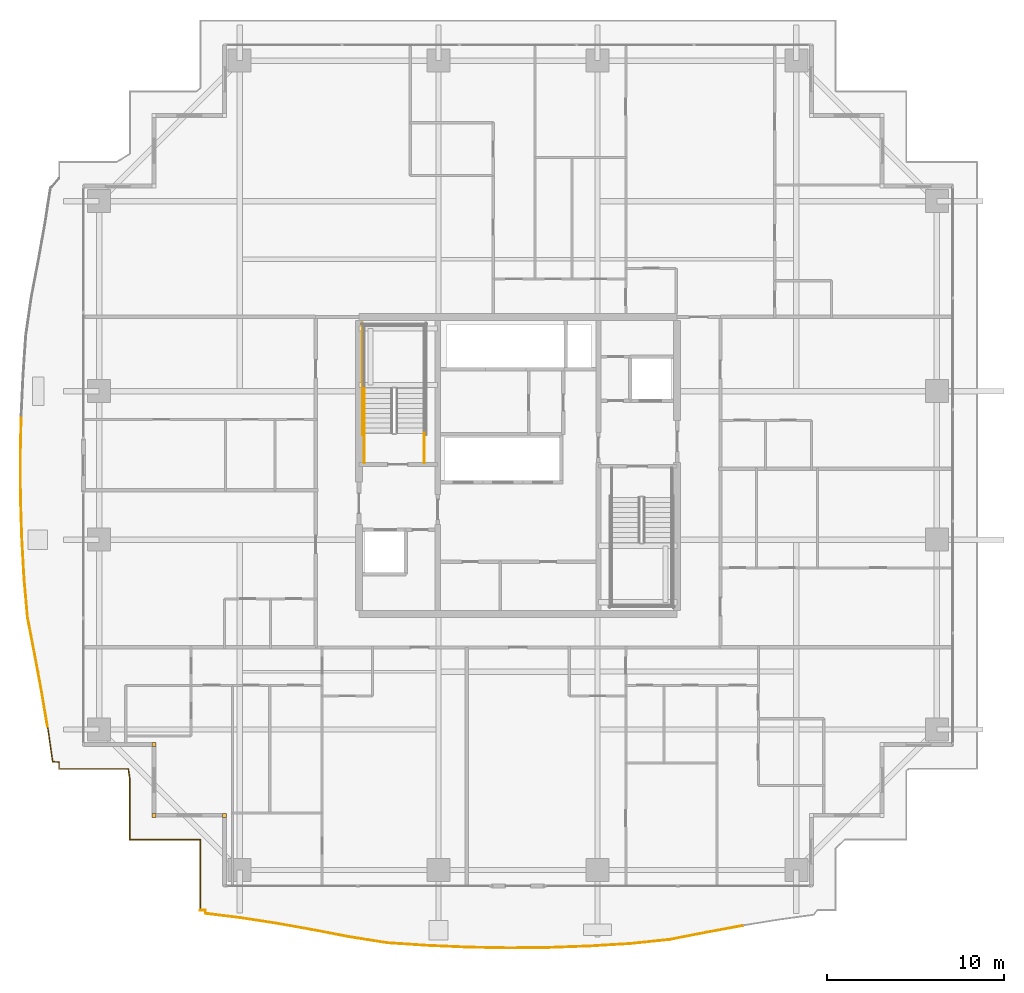
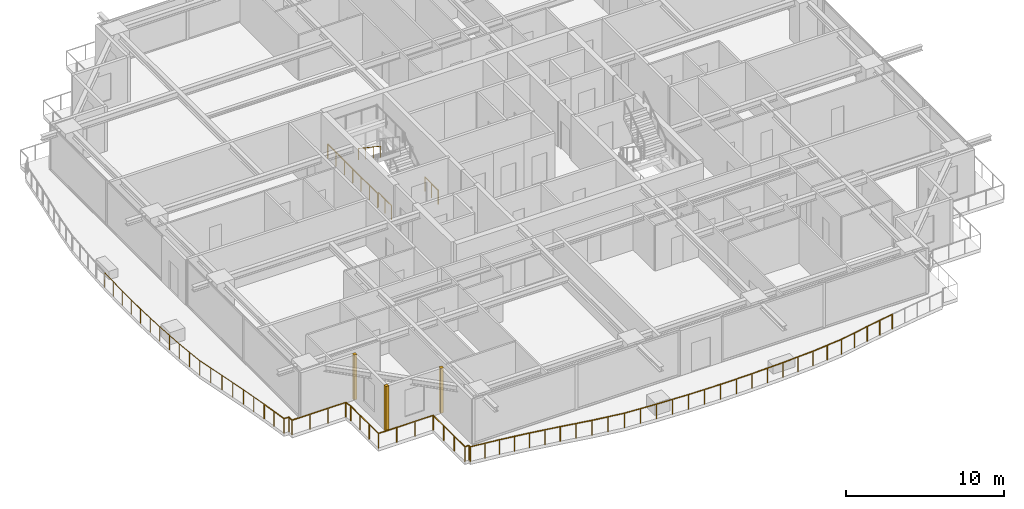
# One storey, part 30 of 34: 8 railings, 3 coverings.
"""IFC4 building model written with IfcOpenShell, lengths in metres."""

import ifcopenshell
import ifcopenshell.guid

model = None  # the IFC model being written
_history = None  # IfcOwnerHistory: only IFC2X3 demands one
_inside = {}  # id of a spatial element -> (the spatial element, [elements in it])
_under = {}  # id of a project, library or spatial element -> (it, [spatial elements below it])
_declared = {}  # id of a project -> (the project, [libraries it declares])
_typed = {}  # id of a type object -> (the type object, [elements of that type])
_made_of = {}  # id of a material, layer set ... -> (it, [elements and type objects made of it])


def new_model(schema):
    """Start an empty IFC model of exactly this schema.

    Asked for "IFC4X3", IfcOpenShell would pick the latest addendum, in which some entities
    have other attributes; the version numbers below select the first issue.
    IFC2X3 requires an IfcOwnerHistory on every rooted entity: one is made here for all.
    """
    global model, _history
    if schema == "IFC4X3":
        model = ifcopenshell.file(schema_version=(4, 3, 0, 0))
    else:
        model = ifcopenshell.file(schema=schema)
    _inside.clear()
    _under.clear()
    _declared.clear()
    _typed.clear()
    _made_of.clear()
    _history = None
    if model.schema == "IFC2X3":
        org = make("IfcOrganization", Name="unknown")
        user = make(
            "IfcPersonAndOrganization",
            ThePerson=make("IfcPerson", FamilyName="unknown"),
            TheOrganization=org,
        )
        app = make(
            "IfcApplication",
            ApplicationDeveloper=org,
            Version="unknown",
            ApplicationFullName="unknown",
            ApplicationIdentifier="unknown",
        )
        _history = make(
            "IfcOwnerHistory",
            OwningUser=user,
            OwningApplication=app,
            ChangeAction="ADDED",
            CreationDate=0,
        )
    return model


def make(cls, **values):
    """One entity of the class cls with the attributes given. An attribute that is None is left unset."""
    return model.create_entity(
        cls, **{name: value for name, value in values.items() if value is not None}
    )


def rooted(cls, **values):
    """An entity with a GlobalId (a new one), such as an element, a storey or a relation."""
    return make(cls, GlobalId=ifcopenshell.guid.new(), OwnerHistory=_history, **values)


def si_unit(unit_type, name, prefix=None):
    """IfcSIUnit, for example si_unit("LENGTHUNIT", "METRE", prefix="MILLI")."""
    return make("IfcSIUnit", UnitType=unit_type, Prefix=prefix, Name=name)


def assignment(units):
    """IfcUnitAssignment: the units of a project."""
    return None if units is None else make("IfcUnitAssignment", Units=units)


def point(xyz):
    """IfcCartesianPoint."""
    return None if xyz is None else make("IfcCartesianPoint", Coordinates=xyz)


def direction(xyz):
    """IfcDirection."""
    return None if xyz is None else make("IfcDirection", DirectionRatios=xyz)


def frame(location, z_axis=None, x_axis=None):
    """IfcAxis2Placement3D, a coordinate frame: its origin and axes. An axis left out is left unset."""
    return make(
        "IfcAxis2Placement3D",
        Location=point(location),
        Axis=direction(z_axis),
        RefDirection=direction(x_axis),
    )


def frame_2d(location, x_axis=None):
    """IfcAxis2Placement2D, a coordinate frame in the plane: its origin and x axis."""
    return make(
        "IfcAxis2Placement2D", Location=point(location), RefDirection=direction(x_axis)
    )


def origin():
    """The frame at (0, 0, 0) with its axes left unset."""
    return frame((0.0, 0.0, 0.0))


def origin_2d():
    """The frame at (0, 0) in the plane with its x axis left unset."""
    return frame_2d((0.0, 0.0))


def place(relative_to, where):
    """IfcLocalPlacement: puts the frame where relative to a parent placement (None: the world)."""
    return make(
        "IfcLocalPlacement", PlacementRelTo=relative_to, RelativePlacement=where
    )


def context(
    kind, dimensions, precision=None, world=None, true_north=None, identifier=None
):
    """IfcGeometricRepresentationContext, for example the 3D "Model" context."""
    return make(
        "IfcGeometricRepresentationContext",
        ContextIdentifier=identifier,
        ContextType=kind,
        CoordinateSpaceDimension=dimensions,
        Precision=precision,
        WorldCoordinateSystem=world,
        TrueNorth=true_north,
    )


def subcontext(parent, identifier, kind, view, scale=None):
    """IfcGeometricRepresentationSubContext, for example "Body" below "Model"."""
    return make(
        "IfcGeometricRepresentationSubContext",
        ContextIdentifier=identifier,
        ContextType=kind,
        ParentContext=parent,
        TargetScale=scale,
        TargetView=view,
    )


def project(units=None, contexts=None):
    """IfcProject with its units and contexts."""
    return rooted(
        "IfcProject",
        Name="project",
        RepresentationContexts=contexts,
        UnitsInContext=assignment(units),
    )


def spatial(cls, under=None, at=None, **own):
    """A site, building, storey or space (cls), placed at a placement, below another one or the project."""
    s = rooted(cls, ObjectPlacement=at, **own)
    if under is not None:
        _under.setdefault(under.id(), (under, []))[1].append(s)
    return s


def profile(cls, at=None, kind="AREA", **sizes):
    """A parametric profile (cls). Its sizes go by their IFC names, for example OverallWidth=200.0."""
    return make(cls, ProfileType=kind, Position=at, **sizes)


def rectangle(**sizes):
    """IfcRectangleProfileDef."""
    return profile("IfcRectangleProfileDef", **sizes)


def circle(**sizes):
    """IfcCircleProfileDef."""
    return profile("IfcCircleProfileDef", **sizes)


def extrude(swept, where, along, depth):
    """IfcExtrudedAreaSolid: the profile swept, set in the frame where, extruded along a direction by depth."""
    return make(
        "IfcExtrudedAreaSolid",
        SweptArea=swept,
        Position=where,
        ExtrudedDirection=direction(along),
        Depth=depth,
    )


def shape(context_of_items, identifier, shape_type, items):
    """IfcShapeRepresentation: the items that make up one representation, for example the "Body"."""
    return make(
        "IfcShapeRepresentation",
        ContextOfItems=context_of_items,
        RepresentationIdentifier=identifier,
        RepresentationType=shape_type,
        Items=items,
    )


def source(mapping_origin, context_of_items, identifier, shape_type, items):
    """IfcRepresentationMap: a shape defined once, which mapped items show again and again."""
    return make(
        "IfcRepresentationMap",
        MappingOrigin=mapping_origin,
        MappedRepresentation=shape(context_of_items, identifier, shape_type, items),
    )


def transform(
    local_origin,
    x_axis=None,
    y_axis=None,
    z_axis=None,
    scale=None,
    scale2=None,
    scale3=None,
    uniform=True,
):
    """IfcCartesianTransformationOperator3D, or its non-uniform kind. x_axis, y_axis, z_axis: its Axis1, 2, 3."""
    if uniform:
        return make(
            "IfcCartesianTransformationOperator3D",
            Axis1=direction(x_axis),
            Axis2=direction(y_axis),
            LocalOrigin=point(local_origin),
            Scale=scale,
            Axis3=direction(z_axis),
        )
    return make(
        "IfcCartesianTransformationOperator3DnonUniform",
        Axis1=direction(x_axis),
        Axis2=direction(y_axis),
        LocalOrigin=point(local_origin),
        Scale=scale,
        Axis3=direction(z_axis),
        Scale2=scale2,
        Scale3=scale3,
    )


def mapped(mapping_source, mapping_target):
    """IfcMappedItem: shows the shape of a source again, moved by a transform."""
    return make(
        "IfcMappedItem", MappingSource=mapping_source, MappingTarget=mapping_target
    )


def material(Name=None, Category=None):
    """IfcMaterial."""
    return make("IfcMaterial", Name=Name, Category=Category)


def layer(
    of_material, thickness, ventilated=None, Name=None, Category=None, Priority=None
):
    """IfcMaterialLayer: one layer of a wall or slab, of a material (None: an air gap)."""
    return make(
        "IfcMaterialLayer",
        Material=of_material,
        LayerThickness=thickness,
        IsVentilated=ventilated,
        Name=Name,
        Category=Category,
        Priority=Priority,
    )


def layer_set(layers, Name=None):
    """IfcMaterialLayerSet."""
    return make("IfcMaterialLayerSet", MaterialLayers=layers, LayerSetName=Name)


def made_of(thing, what):
    """Note that an element or type object is made of a material, layer set ...; save() writes the relation."""
    if what is not None:
        _made_of.setdefault(what.id(), (what, []))[1].append(thing)
    return thing


def type_object(cls, material=None, **own):
    """A type object (cls), such as IfcWallType, which elements share."""
    return made_of(rooted(cls, **own), material)


def element(
    cls,
    number,
    at=None,
    inside=None,
    cuts=None,
    type_object=None,
    material=None,
    context=None,
    identifier="Body",
    shape_type=None,
    held_by="IfcProductDefinitionShape",
    body=None,
    shapes=None,
    **own,
):
    """One element of the class cls, such as IfcWall. Its Tag is "e" and its number.

    at: its placement. inside: the storey or other place that contains it. cuts: it is an
    opening in that element (IfcRelVoidsElement). A single representation is given by context,
    identifier, shape_type and body (its items); several are given by shapes. held_by: the class
    of the entity that holds the representations. save() writes the other relations.
    """
    e = rooted(cls, Tag="e%d" % number, ObjectPlacement=at, **own)
    if body is not None:
        shapes = [shape(context, identifier, shape_type, body)]
    if shapes is not None:
        e.Representation = make(held_by, Representations=shapes)
    if inside is not None:
        _inside.setdefault(inside.id(), (inside, []))[1].append(e)
    if cuts is not None:
        rooted(
            "IfcRelVoidsElement", RelatingBuildingElement=cuts, RelatedOpeningElement=e
        )
    if type_object is not None:
        _typed.setdefault(type_object.id(), (type_object, []))[1].append(e)
    return made_of(e, material)


def aggregate(whole, parts):
    """IfcRelAggregates: a whole, such as a stair, and the parts it consists of."""
    return rooted("IfcRelAggregates", RelatingObject=whole, RelatedObjects=parts)


def save(model, path):
    """Write the relations noted so far, then the file.

    IfcRelAggregates (storeys below a building ...), IfcRelContainedInSpatialStructure (elements
    in a storey), IfcRelDefinesByType, IfcRelAssociatesMaterial and IfcRelDeclares: one each for
    every whole, place, type object, material and project.
    """
    for whole, parts in _under.values():
        aggregate(whole, parts)
    for where, things in _inside.values():
        rooted(
            "IfcRelContainedInSpatialStructure",
            RelatedElements=things,
            RelatingStructure=where,
        )
    for kind, things in _typed.values():
        rooted("IfcRelDefinesByType", RelatedObjects=things, RelatingType=kind)
    for what, things in _made_of.values():
        rooted("IfcRelAssociatesMaterial", RelatedObjects=things, RelatingMaterial=what)
    for by, libraries in _declared.values():
        rooted("IfcRelDeclares", RelatingContext=by, RelatedDefinitions=libraries)
    model.write(path)


model = new_model("IFC4")

# Units and contexts
model_context = context("Model", 3, precision=1e-05, world=origin(), true_north=direction((0.0, 1.0)))
body_context = subcontext(model_context, "Body", "Model", "MODEL_VIEW")
ifc_project = project(units=[si_unit("LENGTHUNIT", "METRE"), si_unit("AREAUNIT", "SQUARE_METRE"), si_unit("VOLUMEUNIT", "CUBIC_METRE"), si_unit("PLANEANGLEUNIT", "RADIAN"), si_unit("MASSUNIT", "GRAM", prefix="KILO")], contexts=[model_context])

# Site, building, storey
site_placement = place(None, origin())
site = spatial("IfcSite", under=ifc_project, at=site_placement, CompositionType="ELEMENT")
building_placement = place(site_placement, origin())
building = spatial("IfcBuilding", under=site, at=building_placement, Name="Serunith Strait Residences", CompositionType="ELEMENT")
storey_placement = place(building_placement, frame((0.0, 0.0, 142.64990234375)))
storey = spatial("IfcBuildingStorey", under=building, at=storey_placement, Name="L35", CompositionType="ELEMENT", Elevation=142.64990234375)

# Railings
ifc_material_1 = material(Name="Stainless Steel & Laminated Glass Balustrade", Category="steel")
railing_type_1 = type_object("IfcRailingType", Name="RLG-BALC-1150", PredefinedType="BALUSTRADE", material=ifc_material_1)
railing_1_placement = place(storey_placement, frame((14.419921875, 0.02001953125, -0.0498046875)))
element("IfcRailing", 1, at=railing_1_placement, inside=storey, type_object=railing_type_1, Name="L35 Swirling Balcony Perimeter Balustrade 1", PredefinedType="BALUSTRADE", context=body_context, shape_type="SweptSolid", body=[
    extrude(circle(Radius=0.02392578125, at=origin_2d()), frame((0.0, 0.001953125, 1.1259765625), z_axis=(0.0, 1.0, 0.0), x_axis=(-1.0, 0.0, 0.0)), (0.0, 0.0, 1.0), 3.99609375),
    extrude(circle(Radius=0.02392578125, at=origin_2d()), frame((-0.001953125, 4.0, 1.1259765625), z_axis=(-1.0, 0.0, 0.0), x_axis=(0.0, -1.0, 0.0)), (0.0, 0.0, 1.0), 3.99609375),
    extrude(circle(Radius=0.02392578125, at=origin_2d()), frame((-4.0, 4.001953125, 1.1259765625), z_axis=(0.0, 1.0, 0.0), x_axis=(-1.0, 0.0, 0.0)), (0.0, 0.0, 1.0), 3.490478515625),
    extrude(circle(Radius=0.02392578125, at=origin_2d()), frame((-4.000244140625, 7.496337890625, 1.1259765625), z_axis=(-0.148503899878, 0.988911822015, 0.0), x_axis=(-0.988911822015, -0.148503899878, 0.0)), (0.0, 0.0, 1.0), 0.50732421875),
    extrude(circle(Radius=0.02392578125, at=origin_2d()), frame((-4.077880859375, 8.0, 1.1259765625), z_axis=(-1.0, 0.0, 0.0), x_axis=(0.0, -1.0, 0.0)), (0.0, 0.0, 1.0), 3.920166015625),
    extrude(circle(Radius=0.02392578125, at=origin_2d()), frame((-8.0, 8.001953125, 1.1259765625), z_axis=(0.0, 1.0, 0.0), x_axis=(-1.0, 0.0, 0.0)), (0.0, 0.0, 1.0), 0.382568359375),
    extrude(circle(Radius=0.02392578125, at=origin_2d()), frame((-8.001953125, 8.386474609375, 1.1259765625), z_axis=(-0.998355750332, 0.057321861263, 0.0), x_axis=(-0.057321861263, -0.998355750332, 0.0)), (0.0, 0.0, 1.0), 0.353759765625),
    extrude(circle(Radius=0.02392578125, at=origin_2d()), frame((-8.357421875, 8.408935546875, 1.1259765625), z_axis=(-0.14121840466, 0.989978465516, 0.0), x_axis=(-0.989978465516, -0.14121840466, 0.0)), (0.0, 0.0, 1.0), 2.01708984375),
    extrude(circle(Radius=0.02099609375, at=origin_2d()), origin(), (0.0, 0.0, 1.0), 1.099853515625),
    extrude(circle(Radius=0.02099609375, at=origin_2d()), frame((0.0, 1.333251953125, 0.0)), (0.0, 0.0, 1.0), 1.099853515625),
    extrude(circle(Radius=0.02099609375, at=origin_2d()), frame((0.0, 2.666748046875, 0.0)), (0.0, 0.0, 1.0), 1.099853515625),
    extrude(circle(Radius=0.02099609375, at=origin_2d()), frame((0.0, 4.0, 0.0)), (0.0, 0.0, 1.0), 1.099853515625),
    extrude(circle(Radius=0.02099609375, at=origin_2d()), frame((-1.333251953125, 4.0, 0.0)), (0.0, 0.0, 1.0), 1.099853515625),
    extrude(circle(Radius=0.02099609375, at=origin_2d()), frame((-2.666748046875, 4.0, 0.0)), (0.0, 0.0, 1.0), 1.099853515625),
    extrude(circle(Radius=0.02099609375, at=origin_2d()), frame((-4.0, 4.0, 0.0)), (0.0, 0.0, 1.0), 1.099853515625),
    extrude(circle(Radius=0.02099609375, at=origin_2d()), frame((-4.0, 5.164794921875, 0.0)), (0.0, 0.0, 1.0), 1.099853515625),
    extrude(circle(Radius=0.02099609375, at=origin_2d()), frame((-4.0, 6.32958984375, 0.0)), (0.0, 0.0, 1.0), 1.099853515625),
    extrude(circle(Radius=0.02099609375, at=origin_2d()), frame((-4.0, 7.494384765625, 0.0)), (0.0, 0.0, 1.0), 1.099853515625),
    extrude(circle(Radius=0.02099609375, at=origin_2d()), frame((-4.075927734375, 8.0, 0.0)), (0.0, 0.0, 1.0), 1.099853515625),
    extrude(circle(Radius=0.02099609375, at=origin_2d()), frame((-5.384033203125, 8.0, 0.0)), (0.0, 0.0, 1.0), 1.099853515625),
    extrude(circle(Radius=0.02099609375, at=origin_2d()), frame((-6.69189453125, 8.0, 0.0)), (0.0, 0.0, 1.0), 1.099853515625),
    extrude(circle(Radius=0.02099609375, at=origin_2d()), frame((-8.0, 8.0, 0.0)), (0.0, 0.0, 1.0), 1.099853515625),
    extrude(circle(Radius=0.02099609375, at=origin_2d()), frame((-8.0, 8.386474609375, 0.0)), (0.0, 0.0, 1.0), 1.099853515625),
    extrude(circle(Radius=0.02099609375, at=origin_2d()), frame((-8.357177734375, 8.406982421875, 0.0)), (0.0, 0.0, 1.0), 1.099853515625),
    extrude(circle(Radius=0.02099609375, at=origin_2d()), frame((-8.5, 9.4072265625, 0.0)), (0.0, 0.0, 1.0), 1.099853515625),
    extrude(circle(Radius=0.02099609375, at=origin_2d()), frame((-8.642578125, 10.40771484375, 0.0)), (0.0, 0.0, 1.0), 1.099853515625),
])
railing_2_placement = place(storey_placement, frame((5.77734375, 10.427734375, -0.0498046875)))
element("IfcRailing", 2, at=railing_2_placement, inside=storey, type_object=railing_type_1, Name="L35 Swirling Balcony Perimeter Balustrade 2", PredefinedType="BALUSTRADE", context=body_context, shape_type="SweptSolid", body=[
    extrude(circle(Radius=0.02392578125, at=origin_2d()), frame((-0.000244140625, 0.001953125, 1.1259765625), z_axis=(-0.166021057664, 0.986122207646, 0.0), x_axis=(-0.986122207646, -0.166021057664, 0.0)), (0.0, 0.0, 1.0), 2.0458984375),
    extrude(circle(Radius=0.02392578125, at=origin_2d()), frame((-0.3408203125, 2.0234375, 1.1259765625), z_axis=(-0.18409155734, 0.982909099824, 0.0), x_axis=(-0.982909099824, -0.18409155734, 0.0)), (0.0, 0.0, 1.0), 2.09130859375),
    extrude(circle(Radius=0.02392578125, at=origin_2d()), frame((-0.7265625, 4.0830078125, 1.1259765625), z_axis=(-0.188507041048, 0.982071838246, 0.0), x_axis=(-0.982071838246, -0.188507041048, 0.0)), (0.0, 0.0, 1.0), 2.151123046875),
    extrude(circle(Radius=0.02392578125, at=origin_2d()), frame((-1.132568359375, 6.199462890625, 1.1259765625), z_axis=(-0.087655171889, 0.996150877549, 0.0), x_axis=(-0.996150877549, -0.087655171889, 0.0)), (0.0, 0.0, 1.0), 2.2353515625),
    extrude(circle(Radius=0.02392578125, at=origin_2d()), frame((-1.32861328125, 8.43017578125, 1.1259765625), z_axis=(-0.055006798508, 0.998485979931, 0.0), x_axis=(-0.998485979931, -0.055006798508, 0.0)), (0.0, 0.0, 1.0), 2.27294921875),
    extrude(circle(Radius=0.02392578125, at=origin_2d()), frame((-1.453857421875, 10.70361328125, 1.1259765625), z_axis=(-0.031019182325, 0.999518789382, 0.0), x_axis=(-0.999518789382, -0.031019182325, 0.0)), (0.0, 0.0, 1.0), 2.294189453125),
    extrude(circle(Radius=0.02392578125, at=origin_2d()), frame((-1.525146484375, 13.000732421875, 1.1259765625), z_axis=(-0.00476084321, 0.999988667122, 0.0), x_axis=(-0.999988667122, -0.00476084321, 0.0)), (0.0, 0.0, 1.0), 2.3037109375),
    extrude(circle(Radius=0.02392578125, at=origin_2d()), frame((-1.5361328125, 15.308349609375, 1.1259765625), z_axis=(0.022040219783, 0.999757084852, 0.0), x_axis=(-0.999757084852, 0.022040219783, 0.0)), (0.0, 0.0, 1.0), 2.300048828125),
    extrude(circle(Radius=0.02099609375, at=origin_2d()), origin(), (0.0, 0.0, 1.0), 1.099853515625),
    extrude(circle(Radius=0.02099609375, at=origin_2d()), frame((-0.170166015625, 1.0107421875, 0.0)), (0.0, 0.0, 1.0), 1.099853515625),
    extrude(circle(Radius=0.02099609375, at=origin_2d()), frame((-0.34033203125, 2.021484375, 0.0)), (0.0, 0.0, 1.0), 1.099853515625),
    extrude(circle(Radius=0.02099609375, at=origin_2d()), frame((-0.533203125, 3.05126953125, 0.0)), (0.0, 0.0, 1.0), 1.099853515625),
    extrude(circle(Radius=0.02099609375, at=origin_2d()), frame((-0.72607421875, 4.0810546875, 0.0)), (0.0, 0.0, 1.0), 1.099853515625),
    extrude(circle(Radius=0.02099609375, at=origin_2d()), frame((-0.92919921875, 5.13916015625, 0.0)), (0.0, 0.0, 1.0), 1.099853515625),
    extrude(circle(Radius=0.02099609375, at=origin_2d()), frame((-1.13232421875, 6.197509765625, 0.0)), (0.0, 0.0, 1.0), 1.099853515625),
    extrude(circle(Radius=0.02099609375, at=origin_2d()), frame((-1.23046875, 7.31298828125, 0.0)), (0.0, 0.0, 1.0), 1.099853515625),
    extrude(circle(Radius=0.02099609375, at=origin_2d()), frame((-1.32861328125, 8.42822265625, 0.0)), (0.0, 0.0, 1.0), 1.099853515625),
    extrude(circle(Radius=0.02099609375, at=origin_2d()), frame((-1.39111328125, 9.56494140625, 0.0)), (0.0, 0.0, 1.0), 1.099853515625),
    extrude(circle(Radius=0.02099609375, at=origin_2d()), frame((-1.453857421875, 10.70166015625, 0.0)), (0.0, 0.0, 1.0), 1.099853515625),
    extrude(circle(Radius=0.02099609375, at=origin_2d()), frame((-1.489501953125, 11.85009765625, 0.0)), (0.0, 0.0, 1.0), 1.099853515625),
    extrude(circle(Radius=0.02099609375, at=origin_2d()), frame((-1.525146484375, 12.998779296875, 0.0)), (0.0, 0.0, 1.0), 1.099853515625),
    extrude(circle(Radius=0.02099609375, at=origin_2d()), frame((-1.53076171875, 14.152587890625, 0.0)), (0.0, 0.0, 1.0), 1.099853515625),
    extrude(circle(Radius=0.02099609375, at=origin_2d()), frame((-1.5361328125, 15.306396484375, 0.0)), (0.0, 0.0, 1.0), 1.099853515625),
    extrude(circle(Radius=0.02099609375, at=origin_2d()), frame((-1.5107421875, 16.4580078125, 0.0)), (0.0, 0.0, 1.0), 1.099853515625),
    extrude(circle(Radius=0.02099609375, at=origin_2d()), frame((-1.4853515625, 17.60986328125, 0.0)), (0.0, 0.0, 1.0), 1.099853515625),
])
railing_3_placement = place(storey_placement, frame((45.129638671875, -0.843017578125, -0.0498046875)))
element("IfcRailing", 3, at=railing_3_placement, inside=storey, type_object=railing_type_1, Name="L35 Swirling Balcony Perimeter Balustrade 7", PredefinedType="BALUSTRADE", context=body_context, shape_type="SweptSolid", body=[
    extrude(circle(Radius=0.02392578125, at=origin_2d()), frame((-0.001953125, -0.000244140625, 1.1259765625), z_axis=(-0.983153027167, -0.182784367963, 0.0), x_axis=(0.182784367963, -0.983153027167, 0.0)), (0.0, 0.0, 1.0), 2.083740234375),
    extrude(circle(Radius=0.02392578125, at=origin_2d()), frame((-2.054443359375, -0.382080078125, 1.1259765625), z_axis=(-0.98159467706, -0.190976150256, 0.0), x_axis=(0.190976150256, -0.98159467706, 0.0)), (0.0, 0.0, 1.0), 2.143798828125),
    extrude(circle(Radius=0.02392578125, at=origin_2d()), frame((-4.16259765625, -0.7919921875, 1.1259765625), z_axis=(-0.994595602042, -0.103824796649, 0.0), x_axis=(0.103824796649, -0.994595602042, 0.0)), (0.0, 0.0, 1.0), 2.2275390625),
    extrude(circle(Radius=0.02392578125, at=origin_2d()), frame((-6.382080078125, -1.0234375, 1.1259765625), z_axis=(-0.998208689445, -0.05982818998, 0.0), x_axis=(0.05982818998, -0.998208689445, 0.0)), (0.0, 0.0, 1.0), 2.27294921875),
    extrude(circle(Radius=0.02392578125, at=origin_2d()), frame((-8.655029296875, -1.15966796875, 1.1259765625), z_axis=(-0.999329865655, -0.036603546412, 0.0), x_axis=(0.036603546412, -0.999329865655, 0.0)), (0.0, 0.0, 1.0), 2.297119140625),
    extrude(circle(Radius=0.02392578125, at=origin_2d()), frame((-10.95458984375, -1.243896484375, 1.1259765625), z_axis=(-0.999950760883, -0.009923497838, 0.0), x_axis=(0.009923497838, -0.999950760883, 0.0)), (0.0, 0.0, 1.0), 2.30859375),
    extrude(circle(Radius=0.02392578125, at=origin_2d()), frame((-13.26708984375, -1.266845703125, 1.1259765625), z_axis=(-0.999847957587, 0.017437365289, 0.0), x_axis=(-0.017437365289, -0.999847957587, 0.0)), (0.0, 0.0, 1.0), 2.30615234375),
    extrude(circle(Radius=0.02392578125, at=origin_2d()), frame((-15.576904296875, -1.2265625, 1.1259765625), z_axis=(-0.999056961343, 0.043418751622, 0.0), x_axis=(-0.043418751622, -0.999056961343, 0.0)), (0.0, 0.0, 1.0), 2.2900390625),
    extrude(circle(Radius=0.02099609375, at=origin_2d()), origin(), (0.0, 0.0, 1.0), 1.099853515625),
    extrude(circle(Radius=0.02099609375, at=origin_2d()), frame((-1.0263671875, -0.19091796875, 0.0)), (0.0, 0.0, 1.0), 1.099853515625),
    extrude(circle(Radius=0.02099609375, at=origin_2d()), frame((-2.052490234375, -0.381591796875, 0.0)), (0.0, 0.0, 1.0), 1.099853515625),
    extrude(circle(Radius=0.02099609375, at=origin_2d()), frame((-3.1064453125, -0.586669921875, 0.0)), (0.0, 0.0, 1.0), 1.099853515625),
    extrude(circle(Radius=0.02099609375, at=origin_2d()), frame((-4.16064453125, -0.791748046875, 0.0)), (0.0, 0.0, 1.0), 1.099853515625),
    extrude(circle(Radius=0.02099609375, at=origin_2d()), frame((-5.2705078125, -0.90771484375, 0.0)), (0.0, 0.0, 1.0), 1.099853515625),
    extrude(circle(Radius=0.02099609375, at=origin_2d()), frame((-6.380126953125, -1.0234375, 0.0)), (0.0, 0.0, 1.0), 1.099853515625),
    extrude(circle(Radius=0.02099609375, at=origin_2d()), frame((-7.5166015625, -1.091552734375, 0.0)), (0.0, 0.0, 1.0), 1.099853515625),
    extrude(circle(Radius=0.02099609375, at=origin_2d()), frame((-8.653076171875, -1.15966796875, 0.0)), (0.0, 0.0, 1.0), 1.099853515625),
    extrude(circle(Radius=0.02099609375, at=origin_2d()), frame((-9.802734375, -1.20166015625, 0.0)), (0.0, 0.0, 1.0), 1.099853515625),
    extrude(circle(Radius=0.02099609375, at=origin_2d()), frame((-10.95263671875, -1.243896484375, 0.0)), (0.0, 0.0, 1.0), 1.099853515625),
    extrude(circle(Radius=0.02099609375, at=origin_2d()), frame((-12.10888671875, -1.25537109375, 0.0)), (0.0, 0.0, 1.0), 1.099853515625),
    extrude(circle(Radius=0.02099609375, at=origin_2d()), frame((-13.26513671875, -1.266845703125, 0.0)), (0.0, 0.0, 1.0), 1.099853515625),
    extrude(circle(Radius=0.02099609375, at=origin_2d()), frame((-14.419921875, -1.24658203125, 0.0)), (0.0, 0.0, 1.0), 1.099853515625),
    extrude(circle(Radius=0.02099609375, at=origin_2d()), frame((-15.574951171875, -1.2265625, 0.0)), (0.0, 0.0, 1.0), 1.099853515625),
    extrude(circle(Radius=0.02099609375, at=origin_2d()), frame((-16.720947265625, -1.1767578125, 0.0)), (0.0, 0.0, 1.0), 1.099853515625),
    extrude(circle(Radius=0.02099609375, at=origin_2d()), frame((-17.866943359375, -1.126953125, 0.0)), (0.0, 0.0, 1.0), 1.099853515625),
])
railing_4_placement = place(storey_placement, frame((27.2626953125, -1.969970703125, -0.0498046875)))
element("IfcRailing", 4, at=railing_4_placement, inside=storey, type_object=railing_type_1, Name="L35 Swirling Balcony Perimeter Balustrade 8", PredefinedType="BALUSTRADE", context=body_context, shape_type="SweptSolid", body=[
    extrude(circle(Radius=0.02392578125, at=origin_2d()), frame((-0.001953125, 0.000244140625, 1.1259765625), z_axis=(-0.997831156545, 0.06582539804, 0.0), x_axis=(-0.06582539804, -0.997831156545, 0.0)), (0.0, 0.0, 1.0), 2.26220703125),
    extrude(circle(Radius=0.02392578125, at=origin_2d()), frame((-2.26318359375, 0.1494140625, 1.1259765625), z_axis=(-0.987716901562, 0.156254031526, 0.0), x_axis=(-0.156254031526, -0.987716901562, 0.0)), (0.0, 0.0, 1.0), 2.189697265625),
    extrude(circle(Radius=0.02392578125, at=origin_2d()), frame((-4.429931640625, 0.492431640625, 1.1259765625), z_axis=(-0.981882244301, 0.18949210624, 0.0), x_axis=(-0.18949210624, -0.981882244301, 0.0)), (0.0, 0.0, 1.0), 2.11669921875),
    extrude(circle(Radius=0.02392578125, at=origin_2d()), frame((-6.51220703125, 0.89404296875, 1.1259765625), z_axis=(-0.9844560319, 0.175631208091, 0.0), x_axis=(-0.175631208091, -0.9844560319, 0.0)), (0.0, 0.0, 1.0), 2.06298828125),
    extrude(circle(Radius=0.02392578125, at=origin_2d()), frame((-8.547119140625, 1.257080078125, 1.1259765625), z_axis=(-0.988457719412, 0.151496986554, 0.0), x_axis=(-0.151496986554, -0.988457719412, 0.0)), (0.0, 0.0, 1.0), 2.026611328125),
    extrude(circle(Radius=0.02392578125, at=origin_2d()), frame((-10.55419921875, 1.564697265625, 1.1259765625), z_axis=(-0.99224234851, 0.124318630231, 0.0), x_axis=(-0.124318630231, -0.99224234851, 0.0)), (0.0, 0.0, 1.0), 2.007080078125),
    extrude(circle(Radius=0.02392578125, at=origin_2d()), frame((-12.547607421875, 1.81640625, 1.1259765625), z_axis=(0.006953934778, 0.999975821103, 0.0), x_axis=(-0.999975821103, 0.006953934778, 0.0)), (0.0, 0.0, 1.0), 0.171630859375),
    extrude(circle(Radius=0.02392578125, at=origin_2d()), frame((-12.54833984375, 1.989990234375, 1.1259765625), z_axis=(-1.0, 0.0, 0.0), x_axis=(0.0, -1.0, 0.0)), (0.0, 0.0, 1.0), 0.29248046875),
    extrude(circle(Radius=0.02099609375, at=origin_2d()), origin(), (0.0, 0.0, 1.0), 1.099853515625),
    extrude(circle(Radius=0.02099609375, at=origin_2d()), frame((-1.130615234375, 0.07470703125, 0.0)), (0.0, 0.0, 1.0), 1.099853515625),
    extrude(circle(Radius=0.02099609375, at=origin_2d()), frame((-2.26123046875, 0.149169921875, 0.0)), (0.0, 0.0, 1.0), 1.099853515625),
    extrude(circle(Radius=0.02099609375, at=origin_2d()), frame((-3.3447265625, 0.320556640625, 0.0)), (0.0, 0.0, 1.0), 1.099853515625),
    extrude(circle(Radius=0.02099609375, at=origin_2d()), frame((-4.427978515625, 0.491943359375, 0.0)), (0.0, 0.0, 1.0), 1.099853515625),
    extrude(circle(Radius=0.02099609375, at=origin_2d()), frame((-5.46923828125, 0.69287109375, 0.0)), (0.0, 0.0, 1.0), 1.099853515625),
    extrude(circle(Radius=0.02099609375, at=origin_2d()), frame((-6.51025390625, 0.893798828125, 0.0)), (0.0, 0.0, 1.0), 1.099853515625),
    extrude(circle(Radius=0.02099609375, at=origin_2d()), frame((-7.52783203125, 1.0751953125, 0.0)), (0.0, 0.0, 1.0), 1.099853515625),
    extrude(circle(Radius=0.02099609375, at=origin_2d()), frame((-8.545166015625, 1.2568359375, 0.0)), (0.0, 0.0, 1.0), 1.099853515625),
    extrude(circle(Radius=0.02099609375, at=origin_2d()), frame((-9.548828125, 1.41064453125, 0.0)), (0.0, 0.0, 1.0), 1.099853515625),
    extrude(circle(Radius=0.02099609375, at=origin_2d()), frame((-10.55224609375, 1.564453125, 0.0)), (0.0, 0.0, 1.0), 1.099853515625),
    extrude(circle(Radius=0.02099609375, at=origin_2d()), frame((-11.5498046875, 1.689453125, 0.0)), (0.0, 0.0, 1.0), 1.099853515625),
    extrude(circle(Radius=0.02099609375, at=origin_2d()), frame((-12.547607421875, 1.814453125, 0.0)), (0.0, 0.0, 1.0), 1.099853515625),
    extrude(circle(Radius=0.02099609375, at=origin_2d()), frame((-12.54638671875, 1.989990234375, 0.0)), (0.0, 0.0, 1.0), 1.099853515625),
    extrude(circle(Radius=0.02099609375, at=origin_2d()), frame((-12.8427734375, 1.989990234375, 0.0)), (0.0, 0.0, 1.0), 1.099853515625),
])
ifc_material_2 = material(Name="Brushed stainless steel 316L", Category="steel")
railing_type_2 = type_object("IfcRailingType", Name="RLG-STAIR-GUARD", PredefinedType="BALUSTRADE", material=ifc_material_2)
for number, where, name in (
    (5, (27.10009765625, 25.35009765625, 0.0), "L35 ST-1 stair guard 8"),
    (6, (23.699951171875, 25.35009765625, 0.0), "L35 ST-1 stair guard 9"),
):
    element("IfcRailing", number, at=place(storey_placement, frame(where)), inside=storey, type_object=railing_type_2, Name=name, PredefinedType="BALUSTRADE", context=body_context, shape_type="SweptSolid", body=[
        extrude(circle(Radius=0.02392578125, at=origin_2d()), frame((0.0, 0.001953125, 1.076171875), z_axis=(0.0, 1.0, 0.0), x_axis=(-1.0, 0.0, 0.0)), (0.0, 0.0, 1.0), 1.676025390625),
        extrude(circle(Radius=0.02099609375, at=origin_2d()), origin(), (0.0, 0.0, 1.0), 1.050048828125),
        extrude(circle(Radius=0.02099609375, at=origin_2d()), frame((0.0, 0.83984375, 0.0)), (0.0, 0.0, 1.0), 1.050048828125),
        extrude(circle(Radius=0.02099609375, at=origin_2d()), frame((0.0, 1.679931640625, 0.0)), (0.0, 0.0, 1.0), 1.050048828125),
    ])
railing_5_placement = place(storey_placement, frame((23.60009765625, 26.929931640625, 0.0)))
element("IfcRailing", 7, at=railing_5_placement, inside=storey, type_object=railing_type_2, Name="L35 ST-1 stair guard 11", PredefinedType="BALUSTRADE", context=body_context, shape_type="SweptSolid", body=[
    extrude(circle(Radius=0.02392578125, at=origin_2d()), frame((0.0, 0.001953125, 1.076171875), z_axis=(0.0, 1.0, 0.0), x_axis=(-1.0, 0.0, 0.0)), (0.0, 0.0, 1.0), 6.316162109375),
    extrude(circle(Radius=0.02099609375, at=origin_2d()), origin(), (0.0, 0.0, 1.0), 1.050048828125),
    extrude(circle(Radius=0.02099609375, at=origin_2d()), frame((0.0, 1.05322265625, 0.0)), (0.0, 0.0, 1.0), 1.050048828125),
    extrude(circle(Radius=0.02099609375, at=origin_2d()), frame((0.0, 2.106689453125, 0.0)), (0.0, 0.0, 1.0), 1.050048828125),
    extrude(circle(Radius=0.02099609375, at=origin_2d()), frame((0.0, 3.16015625, 0.0)), (0.0, 0.0, 1.0), 1.050048828125),
    extrude(circle(Radius=0.02099609375, at=origin_2d()), frame((0.0, 4.21337890625, 0.0)), (0.0, 0.0, 1.0), 1.050048828125),
    extrude(circle(Radius=0.02099609375, at=origin_2d()), frame((0.0, 5.2666015625, 0.0)), (0.0, 0.0, 1.0), 1.050048828125),
    extrude(circle(Radius=0.02099609375, at=origin_2d()), frame((0.0, 6.320068359375, 0.0)), (0.0, 0.0, 1.0), 1.050048828125),
])
railing_type_3 = type_object("IfcRailingType", Name="RLG-STAIR-HR", PredefinedType="HANDRAIL", material=ifc_material_2)
railing_6_placement = place(storey_placement, frame((23.699951171875, 29.550048828125, 2.0625)))
element("IfcRailing", 8, at=railing_6_placement, inside=storey, type_object=railing_type_3, Name="L35 ST-1 stair handrail 2", PredefinedType="HANDRAIL", context=body_context, shape_type="SweptSolid", body=[
    extrude(circle(Radius=0.02392578125, at=origin_2d()), frame((0.0, -0.001708984375, 0.876953125), z_axis=(0.0, -0.830208209119, 0.557453432594), x_axis=(1.0, 0.0, 0.0)), (0.0, 0.0, 1.0), 3.36865234375),
    extrude(circle(Radius=0.02099609375, at=origin_2d()), origin(), (0.0, 0.0, 1.0), 0.849853515625),
    extrude(circle(Radius=0.02099609375, at=origin_2d()), frame((0.0, -0.933349609375, 0.626708984375)), (0.0, 0.0, 1.0), 0.849853515625),
    extrude(circle(Radius=0.02099609375, at=origin_2d()), frame((0.0, -1.86669921875, 1.25341796875)), (0.0, 0.0, 1.0), 0.849853515625),
    extrude(circle(Radius=0.02099609375, at=origin_2d()), frame((0.0, -2.800048828125, 1.880126953125)), (0.0, 0.0, 1.0), 0.849853515625),
])

# Coverings
ifc_material_3 = material(Name="Pale-Champagne Anodised Aluminium", Category="aluminium")
ifc_layer = layer(ifc_material_3, 0.219970703125, Name="Pale-Champagne Anodised Aluminium")
ifc_layer_set = layer_set([ifc_layer], Name="Pale-Champagne Anodised Aluminium")
covering_type = type_object("IfcCoveringType", Name="COV-CORN-TRIM", PredefinedType="CLADDING", material=ifc_layer_set)
shared_shape = source(origin(), body_context, "Body", "SweptSolid", [
    extrude(rectangle(XDim=0.221923828125, YDim=0.221923828125, at=origin_2d()), origin(), (0.0, 0.0, 1.0), 3.47509765625),
])
for number, where, z_axis, x_axis, name in (
    (9, (11.800048828125, 9.39990234375, 0.0), (0.0, 0.0, 1.0), (1.0, 0.0, 0.0), "L35 Girih Serrated Corner Trim Post 17"),
    (10, (11.800048828125, 5.39990234375, 0.0), (0.0, 0.0, 1.0), (1.0, 0.0, 0.0), "L35 Girih Serrated Corner Trim Post 18"),
    (11, (15.800048828125, 5.39990234375, 0.0), (0.0, 0.0, 1.0), (1.0, 0.0, 0.0), "L35 Girih Serrated Corner Trim Post 19"),
):
    element("IfcCovering", number, at=place(storey_placement, frame(where, z_axis=z_axis, x_axis=x_axis)), inside=storey, type_object=covering_type, Name=name, PredefinedType="CLADDING", context=body_context, shape_type="MappedRepresentation", body=[
        mapped(shared_shape, transform((0.0, 0.0, 0.0), scale=1.0)),
    ])

save(model, "model.ifc")
